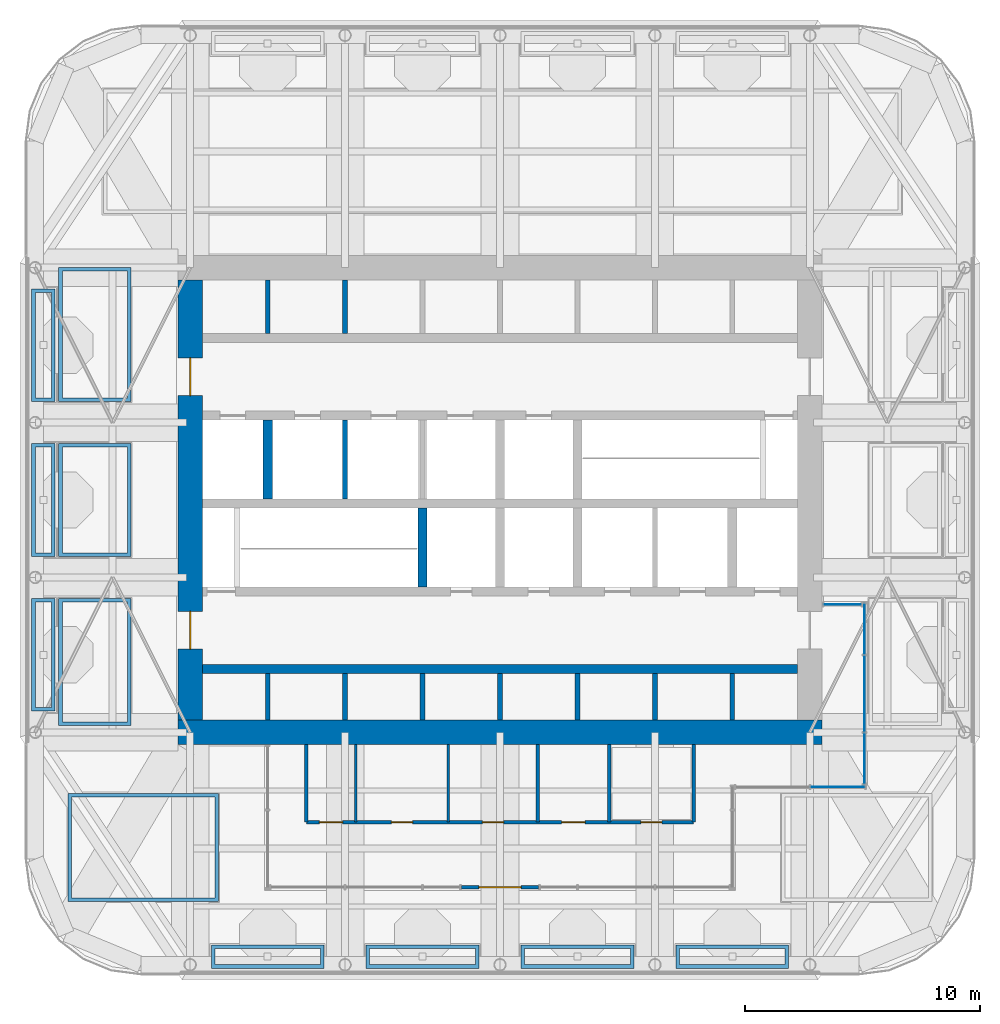
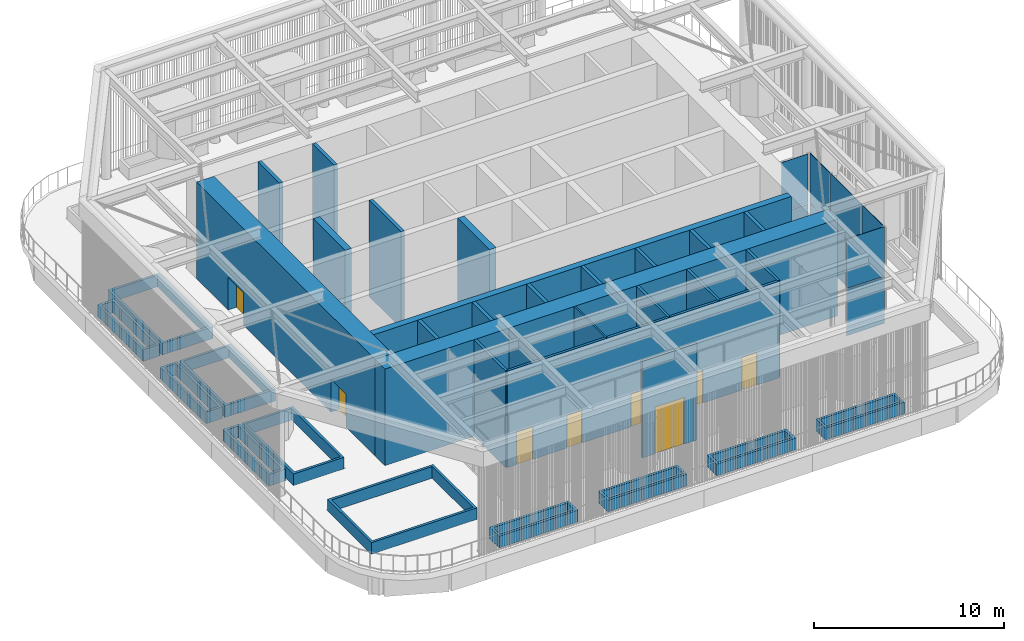
# One storey, part 6 of 22: 34 walls, 10 plates, 8 doors, 8 openings, 3 elements without a shape of their own.
"""IFC4 building model written with IfcOpenShell, lengths in metres."""

from ifc_helpers import new_model, si_unit, direction, frame, frame_2d, origin, origin_2d, place, context, subcontext, project, spatial, polyline, rectangle, outline, extrude, material, layer, layer_set, type_object, element, fill, aggregate, save


model = new_model("IFC4")

# Units and contexts
model_context = context("Model", 3, precision=1e-05, world=origin(), true_north=direction((0.0, 1.0)))
body_context = subcontext(model_context, "Body", "Model", "MODEL_VIEW")
ifc_project = project(units=[si_unit("LENGTHUNIT", "METRE"), si_unit("AREAUNIT", "SQUARE_METRE"), si_unit("VOLUMEUNIT", "CUBIC_METRE"), si_unit("PLANEANGLEUNIT", "RADIAN"), si_unit("MASSUNIT", "GRAM", prefix="KILO")], contexts=[model_context])

# Site, building, storey
site_placement = place(None, origin())
site = spatial("IfcSite", under=ifc_project, at=site_placement, CompositionType="ELEMENT")
building_placement = place(site_placement, origin())
building = spatial("IfcBuilding", under=site, at=building_placement, Name="Cobogo Forest Laboratory Tower", CompositionType="ELEMENT")
storey_placement = place(building_placement, frame((0.0, 0.0, 292.800048828125)))
storey = spatial("IfcBuildingStorey", under=building, at=storey_placement, Name="RF", CompositionType="ELEMENT", Elevation=292.800048828125)

# Curtain wall, plates
ifc_material_1 = material(Name="Aluminium curtain wall", Category="aluminium")
curtain_wall_type = type_object("IfcCurtainWallType", Name="CW-C stick curtain wall, crown glazing, conference floor and roof pavilion", PredefinedType="USERDEFINED", material=ifc_material_1)
curtain_wall_1_placement = place(storey_placement, origin())
curtain_wall_1 = element("IfcCurtainWall", 1, at=curtain_wall_1_placement, inside=storey, type_object=curtain_wall_type, Name="Curtain wall 05 RF", ObjectType="STICK CURTAIN WALL", PredefinedType="USERDEFINED")
ifc_material_2 = material(Name="Solar control insulated glass", Category="glass")
ifc_layer_1 = layer(ifc_material_2, 0.031982421875)
ifc_layer_set_1 = layer_set([ifc_layer_1], Name="GP-2 solar control glass unit 32")
plate_type = type_object("IfcPlateType", Name="GP-2 solar control glass unit 32", PredefinedType="CURTAIN_PANEL", material=ifc_layer_set_1)
plate_1_placement = place(storey_placement, frame((40.78759765625, 10.875, 0.0), z_axis=(0.0, 0.0, 1.0), x_axis=(1.0, 0.0, 0.0)))
plate_1 = element("IfcPlate", 2, at=plate_1_placement, type_object=plate_type, Name="CW-C panel 2.1", PredefinedType="CURTAIN_PANEL", context=body_context, shape_type="SweptSolid", body=[
    extrude(rectangle(XDim=2.31494140625, YDim=0.031982421875, at=origin_2d()), origin(), (0.0, 0.0, 1.0), 2.969970703125),
])
plate_2_placement = place(storey_placement, frame((40.78759765625, 10.875, 3.030029296875), z_axis=(0.0, 0.0, 1.0), x_axis=(1.0, 0.0, 0.0)))
plate_2 = element("IfcPlate", 3, at=plate_2_placement, type_object=plate_type, Name="CW-C panel 2.2", PredefinedType="CURTAIN_PANEL", context=body_context, shape_type="SweptSolid", body=[
    extrude(rectangle(XDim=2.31494140625, YDim=0.031982421875, at=origin_2d()), origin(), (0.0, 0.0, 1.0), 3.169921875),
])
aggregate(curtain_wall_1, [plate_1, plate_2])

curtain_wall_2_placement = place(storey_placement, origin())
curtain_wall_2 = element("IfcCurtainWall", 4, at=curtain_wall_2_placement, inside=storey, type_object=curtain_wall_type, Name="Curtain wall 06 RF", ObjectType="STICK CURTAIN WALL", PredefinedType="USERDEFINED")
plate_3_placement = place(storey_placement, frame((41.925048828125, 12.092529296875, 0.0), z_axis=(0.0, 0.0, 1.0), x_axis=(0.0, 1.0, 0.0)))
plate_3 = element("IfcPlate", 5, at=plate_3_placement, type_object=plate_type, Name="CW-C panel 1.1", PredefinedType="CURTAIN_PANEL", context=body_context, shape_type="SweptSolid", body=[
    extrude(rectangle(XDim=2.155029296875, YDim=0.031982421875, at=origin_2d()), origin(), (0.0, 0.0, 1.0), 2.969970703125),
])
plate_4_placement = place(storey_placement, frame((41.925048828125, 12.092529296875, 3.030029296875), z_axis=(0.0, 0.0, 1.0), x_axis=(0.0, 1.0, 0.0)))
plate_4 = element("IfcPlate", 6, at=plate_4_placement, type_object=plate_type, Name="CW-C panel 1.2", PredefinedType="CURTAIN_PANEL", context=body_context, shape_type="SweptSolid", body=[
    extrude(rectangle(XDim=2.155029296875, YDim=0.031982421875, at=origin_2d()), origin(), (0.0, 0.0, 1.0), 3.169921875),
])
plate_5_placement = place(storey_placement, frame((41.925048828125, 14.85009765625, 0.0), z_axis=(0.0, 0.0, 1.0), x_axis=(0.0, 1.0, 0.0)))
plate_5 = element("IfcPlate", 7, at=plate_5_placement, type_object=plate_type, Name="CW-C panel 2.1", PredefinedType="CURTAIN_PANEL", context=body_context, shape_type="SweptSolid", body=[
    extrude(rectangle(XDim=3.239990234375, YDim=0.031982421875, at=origin_2d()), origin(), (0.0, 0.0, 1.0), 2.969970703125),
])
plate_6_placement = place(storey_placement, frame((41.925048828125, 14.85009765625, 3.030029296875), z_axis=(0.0, 0.0, 1.0), x_axis=(0.0, 1.0, 0.0)))
plate_6 = element("IfcPlate", 8, at=plate_6_placement, type_object=plate_type, Name="CW-C panel 2.2", PredefinedType="CURTAIN_PANEL", context=body_context, shape_type="SweptSolid", body=[
    extrude(rectangle(XDim=3.239990234375, YDim=0.031982421875, at=origin_2d()), origin(), (0.0, 0.0, 1.0), 3.169921875),
])
plate_7_placement = place(storey_placement, frame((41.925048828125, 17.60009765625, 0.0), z_axis=(0.0, 0.0, 1.0), x_axis=(0.0, 1.0, 0.0)))
plate_7 = element("IfcPlate", 9, at=plate_7_placement, type_object=plate_type, Name="CW-C panel 3.1", PredefinedType="CURTAIN_PANEL", context=body_context, shape_type="SweptSolid", body=[
    extrude(rectangle(XDim=2.139892578125, YDim=0.031982421875, at=origin_2d()), origin(), (0.0, 0.0, 1.0), 2.969970703125),
])
plate_8_placement = place(storey_placement, frame((41.925048828125, 17.60009765625, 3.030029296875), z_axis=(0.0, 0.0, 1.0), x_axis=(0.0, 1.0, 0.0)))
plate_8 = element("IfcPlate", 10, at=plate_8_placement, type_object=plate_type, Name="CW-C panel 3.2", PredefinedType="CURTAIN_PANEL", context=body_context, shape_type="SweptSolid", body=[
    extrude(rectangle(XDim=2.139892578125, YDim=0.031982421875, at=origin_2d()), origin(), (0.0, 0.0, 1.0), 3.169921875),
])
aggregate(curtain_wall_2, [plate_3, plate_4, plate_5, plate_6, plate_7, plate_8])

curtain_wall_3_placement = place(storey_placement, origin())
curtain_wall_3 = element("IfcCurtainWall", 11, at=curtain_wall_3_placement, inside=storey, type_object=curtain_wall_type, Name="Curtain wall 07 RF", ObjectType="STICK CURTAIN WALL", PredefinedType="USERDEFINED")
plate_9_placement = place(storey_placement, frame((40.985107421875, 18.64990234375, 0.0), z_axis=(0.0, 0.0, 1.0), x_axis=(-1.0, 0.0, 0.0)))
plate_9 = element("IfcPlate", 12, at=plate_9_placement, type_object=plate_type, Name="CW-C panel 1.1", PredefinedType="CURTAIN_PANEL", context=body_context, shape_type="SweptSolid", body=[
    extrude(rectangle(XDim=1.60009765625, YDim=0.031982421875, at=origin_2d()), origin(), (0.0, 0.0, 1.0), 2.969970703125),
])
plate_10_placement = place(storey_placement, frame((40.985107421875, 18.64990234375, 3.030029296875), z_axis=(0.0, 0.0, 1.0), x_axis=(-1.0, 0.0, 0.0)))
plate_10 = element("IfcPlate", 13, at=plate_10_placement, type_object=plate_type, Name="CW-C panel 1.2", PredefinedType="CURTAIN_PANEL", context=body_context, shape_type="SweptSolid", body=[
    extrude(rectangle(XDim=1.60009765625, YDim=0.031982421875, at=origin_2d()), origin(), (0.0, 0.0, 1.0), 3.169921875),
])
aggregate(curtain_wall_3, [plate_9, plate_10])

# Walls
ifc_material_3 = material(Name="Concrete HA-50 (C50/60)", Category="concrete")
ifc_layer_2 = layer(ifc_material_3, 0.39990234375)
ifc_layer_set_2 = layer_set([ifc_layer_2], Name="CI400 core inner wall 400")
wall_type_1 = type_object("IfcWallType", Name="CI400 core inner wall 400", PredefinedType="SHEAR", material=ifc_layer_set_2)
wall_1_placement = place(storey_placement, frame((13.72509765625, 15.89990234375, 0.0), z_axis=(0.0, 0.0, 1.0), x_axis=(1.0, 0.0, 0.0)))
element("IfcWall", 14, at=wall_1_placement, inside=storey, type_object=wall_type_1, Name="Core wall CI-15.9 RF", PredefinedType="SHEAR", context=body_context, shape_type="SweptSolid", body=[
    extrude(rectangle(XDim=25.349853515625, YDim=0.39990234375, at=frame_2d((12.6748046875, 0.0))), origin(), (0.0, 0.0, 1.0), 6.199951171875),
])
for number, where, z_axis, x_axis, name in (
    (15, (23.10009765625, 19.39990234375, 0.0), (0.0, 0.0, 1.0), (0.0, 1.0, 0.0), "Core wall CX-23.1 RF"),
    (16, (16.5, 23.14990234375, 0.0), (0.0, 0.0, 1.0), (0.0, 1.0, 0.0), "Core wall CX-16.5 RF"),
):
    element("IfcWall", number, at=place(storey_placement, frame(where, z_axis=z_axis, x_axis=x_axis)), inside=storey, type_object=wall_type_1, Name=name, PredefinedType="SHEAR", context=body_context, shape_type="SweptSolid", body=[
        extrude(rectangle(XDim=3.35009765625, YDim=0.39990234375, at=frame_2d((1.675048828125, 0.0))), origin(), (0.0, 0.0, 1.0), 6.199951171875),
    ])
ifc_layer_3 = layer(ifc_material_3, 1.050048828125)
ifc_layer_set_3 = layer_set([ifc_layer_3], Name="CW1050 core outer wall 1050")
wall_type_2 = type_object("IfcWallType", Name="CW1050 core outer wall 1050", PredefinedType="SHEAR", material=ifc_layer_set_3)
wall_2_placement = place(storey_placement, frame((12.675048828125, 13.199951171875, 0.0), z_axis=(0.0, 0.0, 1.0), x_axis=(1.0, 0.0, 0.0)))
element("IfcWall", 17, at=wall_2_placement, inside=storey, type_object=wall_type_2, Name="Core wall CO-S RF", PredefinedType="SHEAR", context=body_context, shape_type="SweptSolid", body=[
    extrude(rectangle(XDim=27.449951171875, YDim=1.050048828125, at=frame_2d((13.72509765625, 0.0))), origin(), (0.0, 0.0, 1.0), 6.199951171875),
])

# Wall, openings, doors
wall_3_placement = place(storey_placement, frame((13.199951171875, 32.47509765625, 0.0), z_axis=(0.0, 0.0, 1.0), x_axis=(0.0, -1.0, 0.0)))
wall_3 = element("IfcWall", 18, at=wall_3_placement, inside=storey, type_object=wall_type_2, Name="Core wall CO-W RF", PredefinedType="SHEAR", context=body_context, shape_type="SweptSolid", body=[
    extrude(rectangle(XDim=18.75, YDim=1.050048828125, at=frame_2d((9.375, 0.0))), origin(), (0.0, 0.0, 1.0), 6.199951171875),
])
opening_1_placement = place(wall_3_placement, frame((14.125, 0.0, 0.0)))
opening_1 = element("IfcOpeningElement", 19, at=opening_1_placement, cuts=wall_3, Name="Opening RF-D07", PredefinedType="OPENING", context=body_context, shape_type="SweptSolid", body=[
    extrude(rectangle(XDim=1.60009765625, YDim=2.10009765625, at=frame_2d((0.800048828125, 1.050048828125))), frame((0.0, 0.534912109375, 0.0), z_axis=(0.0, -1.0, 0.0), x_axis=(1.0, 0.0, 0.0)), (0.0, 0.0, 1.0), 1.070068359375),
])
opening_2_placement = place(wall_3_placement, frame((3.324951171875, 0.0, 0.0)))
opening_2 = element("IfcOpeningElement", 20, at=opening_2_placement, cuts=wall_3, Name="Opening RF-D13", PredefinedType="OPENING", context=body_context, shape_type="SweptSolid", body=[
    extrude(rectangle(XDim=1.60009765625, YDim=2.10009765625, at=frame_2d((0.800048828125, 1.050048828125))), frame((0.0, 0.534912109375, 0.0), z_axis=(0.0, -1.0, 0.0), x_axis=(1.0, 0.0, 0.0)), (0.0, 0.0, 1.0), 1.070068359375),
])
ifc_material_4 = material(Name="Steel fire door", Category="steel")
door_type_1 = type_object("IfcDoorType", Name="DS2 protected lobby door pair 1600 EI2 60", OperationType="DOUBLE_DOOR_DOUBLE_SWING", PredefinedType="DOOR", material=ifc_material_4)
door_1_placement = place(opening_1_placement, origin())
door_1 = element("IfcDoor", 21, at=door_1_placement, inside=storey, type_object=door_type_1, Name="Door RF-CO-W-S", OperationType="DOUBLE_DOOR_DOUBLE_SWING", OverallHeight=2.10009765625, OverallWidth=1.60009765625, PredefinedType="DOOR", context=body_context, shape_type="SweptSolid", body=[
    extrude(rectangle(XDim=1.60009765625, YDim=2.10009765625, at=frame_2d((0.800048828125, 1.050048828125))), frame((0.0, 0.02490234375, 0.0), z_axis=(0.0, -1.0, 0.0), x_axis=(1.0, 0.0, 0.0)), (0.0, 0.0, 1.0), 0.050048828125),
])
fill(opening_1, door_1)
door_2_placement = place(opening_2_placement, origin())
door_2 = element("IfcDoor", 22, at=door_2_placement, inside=storey, type_object=door_type_1, Name="Door RF-CO-W-N", OperationType="DOUBLE_DOOR_DOUBLE_SWING", OverallHeight=2.10009765625, OverallWidth=1.60009765625, PredefinedType="DOOR", context=body_context, shape_type="SweptSolid", body=[
    extrude(rectangle(XDim=1.60009765625, YDim=2.10009765625, at=frame_2d((0.800048828125, 1.050048828125))), frame((0.0, 0.02490234375, 0.0), z_axis=(0.0, -1.0, 0.0), x_axis=(1.0, 0.0, 0.0)), (0.0, 0.0, 1.0), 0.050048828125),
])
fill(opening_2, door_2)

# Wall, opening, door
ifc_material_5 = material(Name="Aluminium framed glazed screen", Category="aluminium")
ifc_layer_4 = layer(ifc_material_5, 0.14990234375)
ifc_layer_set_4 = layer_set([ifc_layer_4], Name="GS1 glazed door screen 150")
wall_type_3 = type_object("IfcWallType", Name="GS1 glazed door screen 150", PredefinedType="SOLIDWALL", material=ifc_layer_set_4)
wall_4_placement = place(storey_placement, frame((24.75, 6.60009765625, 0.0), z_axis=(0.0, 0.0, 1.0), x_axis=(1.0, 0.0, 0.0)))
wall_4 = element("IfcWall", 23, at=wall_4_placement, inside=storey, type_object=wall_type_3, Name="Pavilion door screen", PredefinedType="SOLIDWALL", context=body_context, shape_type="SweptSolid", body=[
    extrude(rectangle(XDim=3.300048828125, YDim=0.14990234375, at=frame_2d((1.64990234375, 0.0))), origin(), (0.0, 0.0, 1.0), 6.199951171875),
])
opening_3_placement = place(wall_4_placement, frame((0.75, 0.0, 0.0)))
opening_3 = element("IfcOpeningElement", 24, at=opening_3_placement, cuts=wall_4, Name="Opening RF-D01", PredefinedType="OPENING", context=body_context, shape_type="SweptSolid", body=[
    extrude(rectangle(XDim=1.800048828125, YDim=3.0, at=frame_2d((0.89990234375, 1.5))), frame((0.0, 0.0849609375, 0.0), z_axis=(0.0, -1.0, 0.0), x_axis=(1.0, 0.0, 0.0)), (0.0, 0.0, 1.0), 0.169921875),
])
ifc_material_6 = material(Name="Aluminium glazed door", Category="aluminium")
door_type_2 = type_object("IfcDoorType", Name="ED1 entrance door pair 1800 glazed", OperationType="DOUBLE_DOOR_DOUBLE_SWING", PredefinedType="DOOR", material=ifc_material_6)
door_3_placement = place(opening_3_placement, origin())
door_3 = element("IfcDoor", 25, at=door_3_placement, inside=storey, type_object=door_type_2, Name="Door RF-PAV-1", OperationType="DOUBLE_DOOR_DOUBLE_SWING", OverallHeight=3.0, OverallWidth=1.800048828125, PredefinedType="DOOR", context=body_context, shape_type="SweptSolid", body=[
    extrude(rectangle(XDim=1.800048828125, YDim=3.0, at=frame_2d((0.89990234375, 1.5))), frame((0.0, 0.02490234375, 0.0), z_axis=(0.0, -1.0, 0.0), x_axis=(1.0, 0.0, 0.0)), (0.0, 0.0, 1.0), 0.050048828125),
])
fill(opening_3, door_3)

# Walls
ifc_material_7 = material(Name="Concrete HA-40 (C40/50)", Category="concrete")
ifc_layer_5 = layer(ifc_material_7, 0.14990234375)
ifc_layer_set_5 = layer_set([ifc_layer_5], Name="PL3 roof planter bed 750")
wall_type_4 = type_object("IfcWallType", Name="PL3 roof planter bed 750", PredefinedType="USERDEFINED", material=ifc_layer_set_5)
wall_5_placement = place(storey_placement, origin())
element("IfcWall", 26, at=wall_5_placement, inside=storey, type_object=wall_type_4, Name="Roof planter bed W1", ObjectType="PLANTER", PredefinedType="USERDEFINED", context=body_context, shape_type="SweptSolid", body=[
    extrude(outline(polyline([(7.60009765625, 13.5), (10.675048828125, 13.5), (10.675048828125, 18.89990234375), (7.60009765625, 18.89990234375), (7.60009765625, 13.5)]), holes=[polyline([(7.75, 13.64990234375), (10.52490234375, 13.64990234375), (10.52490234375, 18.75), (7.75, 18.75), (7.75, 13.64990234375)])]), origin(), (0.0, 0.0, 1.0), 0.75),
])
wall_6_placement = place(storey_placement, origin())
element("IfcWall", 27, at=wall_6_placement, inside=storey, type_object=wall_type_4, Name="Roof planter bed W2", ObjectType="PLANTER", PredefinedType="USERDEFINED", context=body_context, shape_type="SweptSolid", body=[
    extrude(outline(polyline([(7.60009765625, 20.699951171875), (10.675048828125, 20.699951171875), (10.675048828125, 25.5), (7.60009765625, 25.5), (7.60009765625, 20.699951171875)]), holes=[polyline([(7.75, 20.85009765625), (10.52490234375, 20.85009765625), (10.52490234375, 25.35009765625), (7.75, 25.35009765625), (7.75, 20.85009765625)])]), origin(), (0.0, 0.0, 1.0), 0.75),
])
wall_7_placement = place(storey_placement, origin())
element("IfcWall", 28, at=wall_7_placement, inside=storey, type_object=wall_type_4, Name="Roof planter bed W3", ObjectType="PLANTER", PredefinedType="USERDEFINED", context=body_context, shape_type="SweptSolid", body=[
    extrude(outline(polyline([(7.60009765625, 27.300048828125), (10.675048828125, 27.300048828125), (10.675048828125, 33.0), (7.60009765625, 33.0), (7.60009765625, 27.300048828125)]), holes=[polyline([(7.75, 27.449951171875), (10.52490234375, 27.449951171875), (10.52490234375, 32.85009765625), (7.75, 32.85009765625), (7.75, 27.449951171875)])]), origin(), (0.0, 0.0, 1.0), 0.75),
])
wall_8_placement = place(storey_placement, origin())
element("IfcWall", 29, at=wall_8_placement, inside=storey, type_object=wall_type_4, Name="Roof planter bed SW", ObjectType="PLANTER", PredefinedType="USERDEFINED", context=body_context, shape_type="SweptSolid", body=[
    extrude(outline(polyline([(8.0, 6.0), (14.39990234375, 6.0), (14.39990234375, 10.60009765625), (8.0, 10.60009765625), (8.0, 6.0)]), holes=[polyline([(8.14990234375, 6.14990234375), (14.25, 6.14990234375), (14.25, 10.449951171875), (8.14990234375, 10.449951171875), (8.14990234375, 6.14990234375)])]), origin(), (0.0, 0.0, 1.0), 0.75),
])

# Wall, openings, doors
ifc_material_8 = material(Name="Gypsum board on steel studs", Category="steel")
ifc_layer_6 = layer(ifc_material_8, 0.14990234375)
ifc_layer_set_6 = layer_set([ifc_layer_6], Name="PT1 laboratory partition 150")
wall_type_5 = type_object("IfcWallType", Name="PT1 laboratory partition 150", PredefinedType="PARTITIONING", material=ifc_layer_set_6)
wall_9_placement = place(storey_placement, frame((34.64990234375, 9.375, 0.0), z_axis=(0.0, 0.0, 1.0), x_axis=(-1.0, 0.0, 0.0)))
wall_9 = element("IfcWall", 30, at=wall_9_placement, inside=storey, type_object=wall_type_5, Name="Partition POD-WCA-S-1 RF", PredefinedType="PARTITIONING", context=body_context, shape_type="SweptSolid", body=[
    extrude(rectangle(XDim=16.5, YDim=0.14990234375, at=frame_2d((8.25, 0.0))), origin(), (0.0, 0.0, 1.0), 6.199951171875),
])
opening_4_placement = place(wall_9_placement, frame((14.949951171875, 0.0, 0.0)))
opening_4 = element("IfcOpeningElement", 31, at=opening_4_placement, cuts=wall_9, Name="Opening RF-D02", PredefinedType="OPENING", context=body_context, shape_type="SweptSolid", body=[
    extrude(rectangle(XDim=1.0, YDim=2.10009765625, at=frame_2d((0.5, 1.050048828125))), frame((0.0, 0.0849609375, 0.0), z_axis=(0.0, -1.0, 0.0), x_axis=(1.0, 0.0, 0.0)), (0.0, 0.0, 1.0), 0.169921875),
])
opening_5_placement = place(wall_9_placement, frame((11.97509765625, 0.0, 0.0)))
opening_5 = element("IfcOpeningElement", 32, at=opening_5_placement, cuts=wall_9, Name="Opening RF-D03", PredefinedType="OPENING", context=body_context, shape_type="SweptSolid", body=[
    extrude(rectangle(XDim=0.89990234375, YDim=2.10009765625, at=frame_2d((0.449951171875, 1.050048828125))), frame((0.0, 0.0849609375, 0.0), z_axis=(0.0, -1.0, 0.0), x_axis=(1.0, 0.0, 0.0)), (0.0, 0.0, 1.0), 0.169921875),
])
opening_6_placement = place(wall_9_placement, frame((8.10009765625, 0.0, 0.0)))
opening_6 = element("IfcOpeningElement", 33, at=opening_6_placement, cuts=wall_9, Name="Opening RF-D04", PredefinedType="OPENING", context=body_context, shape_type="SweptSolid", body=[
    extrude(rectangle(XDim=0.89990234375, YDim=2.10009765625, at=frame_2d((0.449951171875, 1.050048828125))), frame((0.0, 0.0849609375, 0.0), z_axis=(0.0, -1.0, 0.0), x_axis=(1.0, 0.0, 0.0)), (0.0, 0.0, 1.0), 0.169921875),
])
opening_7_placement = place(wall_9_placement, frame((4.625, 0.0, 0.0)))
opening_7 = element("IfcOpeningElement", 34, at=opening_7_placement, cuts=wall_9, Name="Opening RF-D05", PredefinedType="OPENING", context=body_context, shape_type="SweptSolid", body=[
    extrude(rectangle(XDim=1.0, YDim=2.10009765625, at=frame_2d((0.5, 1.050048828125))), frame((0.0, 0.0849609375, 0.0), z_axis=(0.0, -1.0, 0.0), x_axis=(1.0, 0.0, 0.0)), (0.0, 0.0, 1.0), 0.169921875),
])
opening_8_placement = place(wall_9_placement, frame((1.35009765625, 0.0, 0.0)))
opening_8 = element("IfcOpeningElement", 35, at=opening_8_placement, cuts=wall_9, Name="Opening RF-D06", PredefinedType="OPENING", context=body_context, shape_type="SweptSolid", body=[
    extrude(rectangle(XDim=0.89990234375, YDim=2.10009765625, at=frame_2d((0.449951171875, 1.050048828125))), frame((0.0, 0.0849609375, 0.0), z_axis=(0.0, -1.0, 0.0), x_axis=(1.0, 0.0, 0.0)), (0.0, 0.0, 1.0), 0.169921875),
])
door_type_3 = type_object("IfcDoorType", Name="FD1 fire door 1000 EI2 60", OperationType="SINGLE_SWING_LEFT", PredefinedType="DOOR", material=ifc_material_4)
door_4_placement = place(opening_7_placement, origin())
door_4 = element("IfcDoor", 36, at=door_4_placement, inside=storey, type_object=door_type_3, Name="Door RF-ELEC", OperationType="SINGLE_SWING_LEFT", OverallHeight=2.10009765625, OverallWidth=1.0, PredefinedType="DOOR", context=body_context, shape_type="SweptSolid", body=[
    extrude(rectangle(XDim=1.0, YDim=2.10009765625, at=frame_2d((0.5, 1.050048828125))), frame((0.0, 0.02490234375, 0.0), z_axis=(0.0, -1.0, 0.0), x_axis=(1.0, 0.0, 0.0)), (0.0, 0.0, 1.0), 0.050048828125),
])
fill(opening_7, door_4)
ifc_material_9 = material(Name="Timber fire door", Category="wood")
door_type_4 = type_object("IfcDoorType", Name="FD3 toilet fire door 900 EI2 30", OperationType="SINGLE_SWING_LEFT", PredefinedType="DOOR", material=ifc_material_9)
door_5_placement = place(opening_5_placement, origin())
door_5 = element("IfcDoor", 37, at=door_5_placement, inside=storey, type_object=door_type_4, Name="Door RF-WCF", OperationType="SINGLE_SWING_RIGHT", OverallHeight=2.10009765625, OverallWidth=0.89990234375, PredefinedType="DOOR", context=body_context, shape_type="SweptSolid", body=[
    extrude(rectangle(XDim=0.89990234375, YDim=2.10009765625, at=frame_2d((0.449951171875, 1.050048828125))), frame((0.0, 0.02490234375, 0.0), z_axis=(0.0, -1.0, 0.0), x_axis=(1.0, 0.0, 0.0)), (0.0, 0.0, 1.0), 0.050048828125),
])
fill(opening_5, door_5)
door_6_placement = place(opening_6_placement, origin())
door_6 = element("IfcDoor", 38, at=door_6_placement, inside=storey, type_object=door_type_4, Name="Door RF-WCM", OperationType="SINGLE_SWING_RIGHT", OverallHeight=2.10009765625, OverallWidth=0.89990234375, PredefinedType="DOOR", context=body_context, shape_type="SweptSolid", body=[
    extrude(rectangle(XDim=0.89990234375, YDim=2.10009765625, at=frame_2d((0.449951171875, 1.050048828125))), frame((0.0, 0.02490234375, 0.0), z_axis=(0.0, -1.0, 0.0), x_axis=(1.0, 0.0, 0.0)), (0.0, 0.0, 1.0), 0.050048828125),
])
fill(opening_6, door_6)
door_type_5 = type_object("IfcDoorType", Name="FD4 riser access door 900 EI2 60", OperationType="SINGLE_SWING_LEFT", PredefinedType="DOOR", material=ifc_material_4)
door_7_placement = place(opening_8_placement, origin())
door_7 = element("IfcDoor", 39, at=door_7_placement, inside=storey, type_object=door_type_5, Name="Door RF-COMMS", OperationType="SINGLE_SWING_LEFT", OverallHeight=2.10009765625, OverallWidth=0.89990234375, PredefinedType="DOOR", context=body_context, shape_type="SweptSolid", body=[
    extrude(rectangle(XDim=0.89990234375, YDim=2.10009765625, at=frame_2d((0.449951171875, 1.050048828125))), frame((0.0, 0.02490234375, 0.0), z_axis=(0.0, -1.0, 0.0), x_axis=(1.0, 0.0, 0.0)), (0.0, 0.0, 1.0), 0.050048828125),
])
fill(opening_8, door_7)
door_type_6 = type_object("IfcDoorType", Name="FDA1 accessible toilet fire door 1000 EI2 30", OperationType="SINGLE_SWING_RIGHT", PredefinedType="DOOR", material=ifc_material_9)
door_8_placement = place(opening_4_placement, origin())
door_8 = element("IfcDoor", 40, at=door_8_placement, inside=storey, type_object=door_type_6, Name="Door RF-WCA", OperationType="SINGLE_SWING_RIGHT", OverallHeight=2.10009765625, OverallWidth=1.0, PredefinedType="DOOR", context=body_context, shape_type="SweptSolid", body=[
    extrude(rectangle(XDim=1.0, YDim=2.10009765625, at=frame_2d((0.5, 1.050048828125))), frame((0.0, 0.02490234375, 0.0), z_axis=(0.0, -1.0, 0.0), x_axis=(1.0, 0.0, 0.0)), (0.0, 0.0, 1.0), 0.050048828125),
])
fill(opening_4, door_8)

# Walls
for number, where, z_axis, x_axis, name in (
    (41, (18.14990234375, 9.375, 0.0), (0.0, 0.0, 1.0), (0.0, 1.0, 0.0), "Partition POD-WCA-W-1 RF"),
    (42, (34.64990234375, 12.675048828125, 0.0), (0.0, 0.0, 1.0), (0.0, -1.0, 0.0), "Partition POD-WCA-E-1 RF"),
    (43, (28.0, 9.375, 0.0), (0.0, 0.0, 1.0), (0.0, 1.0, 0.0), "Partition POD-WCA-3-1 RF"),
    (44, (31.050048828125, 9.375, 0.0), (0.0, 0.0, 1.0), (0.0, 1.0, 0.0), "Partition POD-WCA-4-1 RF"),
):
    element("IfcWall", number, at=place(storey_placement, frame(where, z_axis=z_axis, x_axis=x_axis)), inside=storey, type_object=wall_type_5, Name=name, PredefinedType="PARTITIONING", context=body_context, shape_type="SweptSolid", body=[
        extrude(rectangle(XDim=3.300048828125, YDim=0.14990234375, at=frame_2d((1.64990234375, 0.0))), origin(), (0.0, 0.0, 1.0), 6.199951171875),
    ])
ifc_layer_7 = layer(ifc_material_8, 0.10009765625)
ifc_layer_set_7 = layer_set([ifc_layer_7], Name="PT3 toilet partition 100")
wall_type_6 = type_object("IfcWallType", Name="PT3 toilet partition 100", PredefinedType="PARTITIONING", material=ifc_layer_set_7)
for number, where, z_axis, x_axis, name in (
    (45, (20.25, 9.375, 0.0), (0.0, 0.0, 1.0), (0.0, 1.0, 0.0), "Partition POD-WCA-1-1 RF"),
    (46, (24.199951171875, 9.375, 0.0), (0.0, 0.0, 1.0), (0.0, 1.0, 0.0), "Partition POD-WCA-2-1 RF"),
):
    element("IfcWall", number, at=place(storey_placement, frame(where, z_axis=z_axis, x_axis=x_axis)), inside=storey, type_object=wall_type_6, Name=name, PredefinedType="PARTITIONING", context=body_context, shape_type="SweptSolid", body=[
        extrude(rectangle(XDim=3.300048828125, YDim=0.10009765625, at=frame_2d((1.64990234375, 0.0))), origin(), (0.0, 0.0, 1.0), 6.199951171875),
    ])
ifc_layer_8 = layer(ifc_material_7, 0.14990234375)
ifc_layer_set_8 = layer_set([ifc_layer_8], Name="Planter box 1000x750")
wall_type_7 = type_object("IfcWallType", Name="Planter box 1000x750", PredefinedType="USERDEFINED", material=ifc_layer_set_8)
wall_10_placement = place(storey_placement, origin())
element("IfcWall", 47, at=wall_10_placement, inside=storey, type_object=wall_type_7, Name="Roof garden planter S1", ObjectType="PLANTER", PredefinedType="USERDEFINED", context=body_context, shape_type="SweptSolid", body=[
    extrude(outline(polyline([(14.10009765625, 3.14990234375), (18.89990234375, 3.14990234375), (18.89990234375, 4.14990234375), (14.10009765625, 4.14990234375), (14.10009765625, 3.14990234375)]), holes=[polyline([(14.25, 3.300048828125), (18.75, 3.300048828125), (18.75, 4.0), (14.25, 4.0), (14.25, 3.300048828125)])]), origin(), (0.0, 0.0, 1.0), 0.75),
])
wall_11_placement = place(storey_placement, origin())
element("IfcWall", 48, at=wall_11_placement, inside=storey, type_object=wall_type_7, Name="Roof garden planter S2", ObjectType="PLANTER", PredefinedType="USERDEFINED", context=body_context, shape_type="SweptSolid", body=[
    extrude(outline(polyline([(20.699951171875, 3.14990234375), (25.5, 3.14990234375), (25.5, 4.14990234375), (20.699951171875, 4.14990234375), (20.699951171875, 3.14990234375)]), holes=[polyline([(20.85009765625, 3.300048828125), (25.35009765625, 3.300048828125), (25.35009765625, 4.0), (20.85009765625, 4.0), (20.85009765625, 3.300048828125)])]), origin(), (0.0, 0.0, 1.0), 0.75),
])
wall_12_placement = place(storey_placement, origin())
element("IfcWall", 49, at=wall_12_placement, inside=storey, type_object=wall_type_7, Name="Roof garden planter S3", ObjectType="PLANTER", PredefinedType="USERDEFINED", context=body_context, shape_type="SweptSolid", body=[
    extrude(outline(polyline([(27.300048828125, 3.14990234375), (32.10009765625, 3.14990234375), (32.10009765625, 4.14990234375), (27.300048828125, 4.14990234375), (27.300048828125, 3.14990234375)]), holes=[polyline([(27.449951171875, 3.300048828125), (31.949951171875, 3.300048828125), (31.949951171875, 4.0), (27.449951171875, 4.0), (27.449951171875, 3.300048828125)])]), origin(), (0.0, 0.0, 1.0), 0.75),
])
wall_13_placement = place(storey_placement, origin())
element("IfcWall", 50, at=wall_13_placement, inside=storey, type_object=wall_type_7, Name="Roof garden planter S4", ObjectType="PLANTER", PredefinedType="USERDEFINED", context=body_context, shape_type="SweptSolid", body=[
    extrude(outline(polyline([(33.89990234375, 3.14990234375), (38.699951171875, 3.14990234375), (38.699951171875, 4.14990234375), (33.89990234375, 4.14990234375), (33.89990234375, 3.14990234375)]), holes=[polyline([(34.050048828125, 3.300048828125), (38.550048828125, 3.300048828125), (38.550048828125, 4.0), (34.050048828125, 4.0), (34.050048828125, 3.300048828125)])]), origin(), (0.0, 0.0, 1.0), 0.75),
])
wall_14_placement = place(storey_placement, origin())
element("IfcWall", 51, at=wall_14_placement, inside=storey, type_object=wall_type_7, Name="Roof garden planter W1", ObjectType="PLANTER", PredefinedType="USERDEFINED", context=body_context, shape_type="SweptSolid", body=[
    extrude(outline(polyline([(6.449951171875, 14.10009765625), (7.449951171875, 14.10009765625), (7.449951171875, 18.89990234375), (6.449951171875, 18.89990234375), (6.449951171875, 14.10009765625)]), holes=[polyline([(6.60009765625, 14.25), (7.300048828125, 14.25), (7.300048828125, 18.75), (6.60009765625, 18.75), (6.60009765625, 14.25)])]), origin(), (0.0, 0.0, 1.0), 0.75),
])
wall_15_placement = place(storey_placement, origin())
element("IfcWall", 52, at=wall_15_placement, inside=storey, type_object=wall_type_7, Name="Roof garden planter W2", ObjectType="PLANTER", PredefinedType="USERDEFINED", context=body_context, shape_type="SweptSolid", body=[
    extrude(outline(polyline([(6.449951171875, 20.699951171875), (7.449951171875, 20.699951171875), (7.449951171875, 25.5), (6.449951171875, 25.5), (6.449951171875, 20.699951171875)]), holes=[polyline([(6.60009765625, 20.85009765625), (7.300048828125, 20.85009765625), (7.300048828125, 25.35009765625), (6.60009765625, 25.35009765625), (6.60009765625, 20.85009765625)])]), origin(), (0.0, 0.0, 1.0), 0.75),
])
wall_16_placement = place(storey_placement, origin())
element("IfcWall", 53, at=wall_16_placement, inside=storey, type_object=wall_type_7, Name="Roof garden planter W3", ObjectType="PLANTER", PredefinedType="USERDEFINED", context=body_context, shape_type="SweptSolid", body=[
    extrude(outline(polyline([(6.449951171875, 27.300048828125), (7.449951171875, 27.300048828125), (7.449951171875, 32.10009765625), (6.449951171875, 32.10009765625), (6.449951171875, 27.300048828125)]), holes=[polyline([(6.60009765625, 27.449951171875), (7.300048828125, 27.449951171875), (7.300048828125, 31.949951171875), (6.60009765625, 31.949951171875), (6.60009765625, 27.449951171875)])]), origin(), (0.0, 0.0, 1.0), 0.75),
])
ifc_material_10 = material(Name="Concrete block", Category="concrete")
ifc_layer_9 = layer(ifc_material_10, 0.199951171875)
ifc_layer_set_9 = layer_set([ifc_layer_9], Name="SW200 lift shaft separator 200")
wall_type_8 = type_object("IfcWallType", Name="SW200 lift shaft separator 200", PredefinedType="PARTITIONING", material=ifc_layer_set_9)
wall_17_placement = place(storey_placement, frame((16.5, 13.72509765625, 0.0), z_axis=(0.0, 0.0, 1.0), x_axis=(0.0, 1.0, 0.0)))
element("IfcWall", 54, at=wall_17_placement, inside=storey, type_object=wall_type_8, Name="Core wall SEP-S1 RF", PredefinedType="PARTITIONING", context=body_context, shape_type="SweptSolid", body=[
    extrude(rectangle(XDim=1.974853515625, YDim=0.199951171875, at=frame_2d((0.9873046875, 0.0))), origin(), (0.0, 0.0, 1.0), 6.199951171875),
])
wall_18_placement = place(storey_placement, frame((16.5, 30.199951171875, 0.0), z_axis=(0.0, 0.0, 1.0), x_axis=(0.0, 1.0, 0.0)))
element("IfcWall", 55, at=wall_18_placement, inside=storey, type_object=wall_type_8, Name="Core wall SEP-N1 RF", PredefinedType="PARTITIONING", context=body_context, shape_type="SweptSolid", body=[
    extrude(rectangle(XDim=2.275146484375, YDim=0.199951171875, at=frame_2d((1.1376953125, 0.0))), origin(), (0.0, 0.0, 1.0), 6.199951171875),
])
wall_19_placement = place(storey_placement, frame((19.800048828125, 13.72509765625, 0.0), z_axis=(0.0, 0.0, 1.0), x_axis=(0.0, 1.0, 0.0)))
element("IfcWall", 56, at=wall_19_placement, inside=storey, type_object=wall_type_8, Name="Core wall SEP-S2 RF", PredefinedType="PARTITIONING", context=body_context, shape_type="SweptSolid", body=[
    extrude(rectangle(XDim=1.974853515625, YDim=0.199951171875, at=frame_2d((0.9873046875, 0.0))), origin(), (0.0, 0.0, 1.0), 6.199951171875),
])
wall_20_placement = place(storey_placement, frame((19.800048828125, 30.199951171875, 0.0), z_axis=(0.0, 0.0, 1.0), x_axis=(0.0, 1.0, 0.0)))
element("IfcWall", 57, at=wall_20_placement, inside=storey, type_object=wall_type_8, Name="Core wall SEP-N2 RF", PredefinedType="PARTITIONING", context=body_context, shape_type="SweptSolid", body=[
    extrude(rectangle(XDim=2.275146484375, YDim=0.199951171875, at=frame_2d((1.1376953125, 0.0))), origin(), (0.0, 0.0, 1.0), 6.199951171875),
])
for number, where, z_axis, x_axis, name in (
    (58, (23.10009765625, 13.72509765625, 0.0), (0.0, 0.0, 1.0), (0.0, 1.0, 0.0), "Core wall SEP-S3 RF"),
    (59, (26.39990234375, 13.72509765625, 0.0), (0.0, 0.0, 1.0), (0.0, 1.0, 0.0), "Core wall SEP-S4 RF"),
    (60, (29.699951171875, 13.72509765625, 0.0), (0.0, 0.0, 1.0), (0.0, 1.0, 0.0), "Core wall SEP-S5 RF"),
    (61, (33.0, 13.72509765625, 0.0), (0.0, 0.0, 1.0), (0.0, 1.0, 0.0), "Core wall SEP-S6 RF"),
    (62, (36.300048828125, 13.72509765625, 0.0), (0.0, 0.0, 1.0), (0.0, 1.0, 0.0), "Core wall SEP-S7 RF"),
):
    element("IfcWall", number, at=place(storey_placement, frame(where, z_axis=z_axis, x_axis=x_axis)), inside=storey, type_object=wall_type_8, Name=name, PredefinedType="PARTITIONING", context=body_context, shape_type="SweptSolid", body=[
        extrude(rectangle(XDim=1.974853515625, YDim=0.199951171875, at=frame_2d((0.9873046875, 0.0))), origin(), (0.0, 0.0, 1.0), 6.199951171875),
    ])
wall_21_placement = place(storey_placement, frame((19.800048828125, 23.14990234375, 0.0), z_axis=(0.0, 0.0, 1.0), x_axis=(0.0, 1.0, 0.0)))
element("IfcWall", 63, at=wall_21_placement, inside=storey, type_object=wall_type_8, Name="Core wall SEP-M19.8 RF", PredefinedType="PARTITIONING", context=body_context, shape_type="SweptSolid", body=[
    extrude(rectangle(XDim=3.35009765625, YDim=0.199951171875, at=frame_2d((1.675048828125, 0.0))), origin(), (0.0, 0.0, 1.0), 6.199951171875),
])

save(model, "model.ifc")
